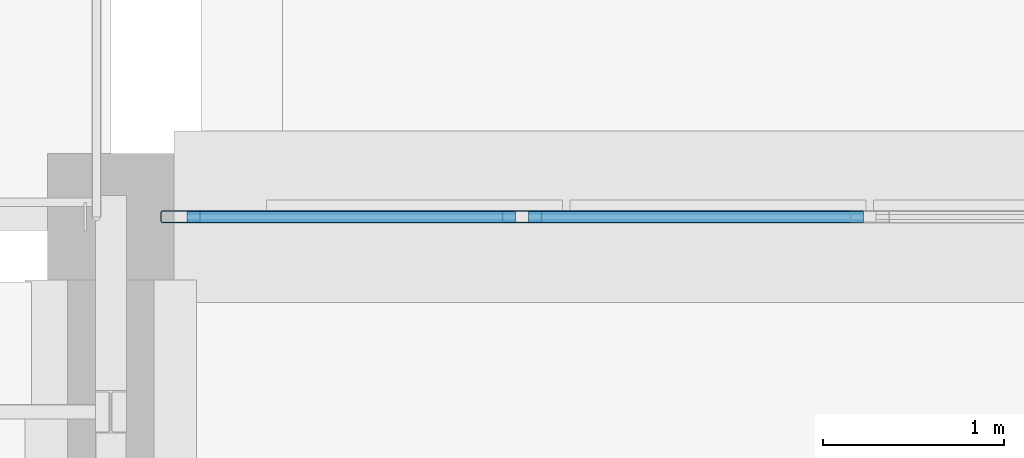
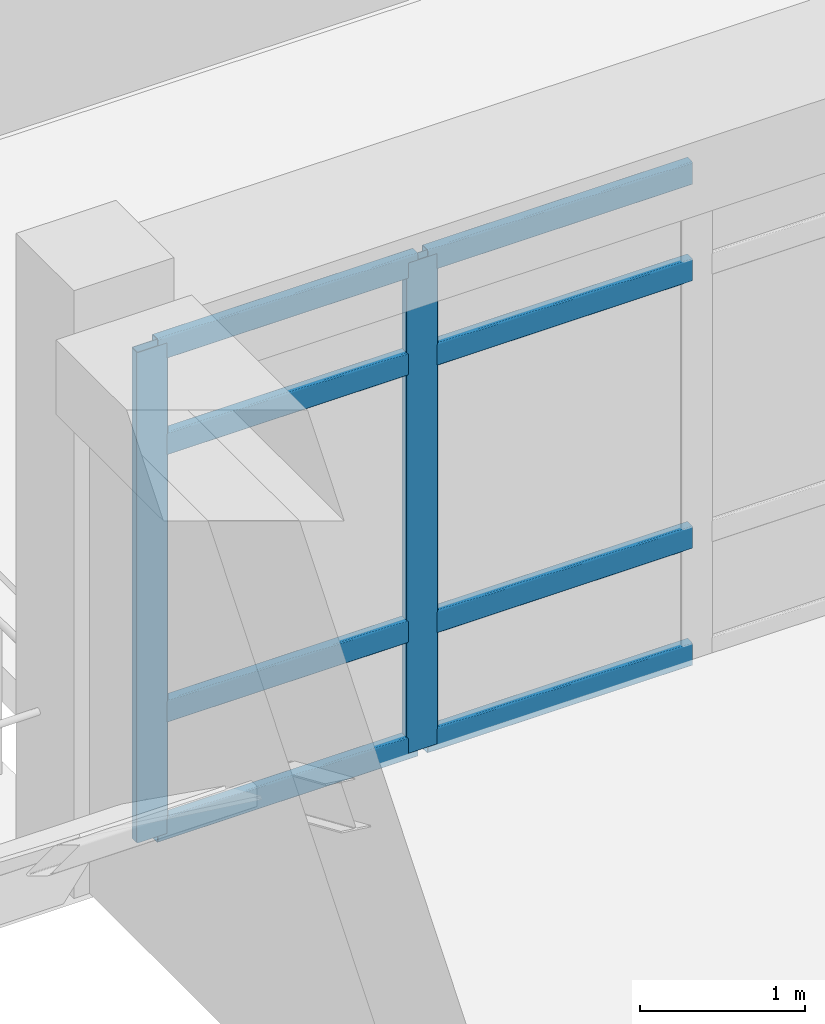
# One storey, part 13 of 100: 10 members, 1 element without a shape of its own.
"""IFC4 building model written with IfcOpenShell, lengths in metres."""

from ifc_helpers import new_model, si_unit, derived_unit, direction, frame, origin, origin_2d, place, context, subcontext, project, spatial, hollow_rectangle, extrude, material, material_profile, profile_set, type_object, element, aggregate, save


model = new_model("IFC4")

# Units and contexts
model_context = context("Model", 3, precision=1e-05, world=origin(), true_north=direction((0.0, 1.0)))
body_context = subcontext(model_context, "Body", "Model", "MODEL_VIEW")
ifc_project = project(units=[si_unit("LENGTHUNIT", "METRE"), si_unit("AREAUNIT", "SQUARE_METRE"), si_unit("VOLUMEUNIT", "CUBIC_METRE"), si_unit("PLANEANGLEUNIT", "RADIAN"), si_unit("MASSUNIT", "GRAM", prefix="KILO"), derived_unit("THERMALTRANSMITTANCEUNIT", [(si_unit("POWERUNIT", "WATT"), 1), (si_unit("LENGTHUNIT", "METRE"), -2), (si_unit("THERMODYNAMICTEMPERATUREUNIT", "KELVIN"), -1)])], contexts=[model_context])

# Site, building, storey
site_placement = place(None, origin())
site = spatial("IfcSite", under=ifc_project, at=site_placement, CompositionType="ELEMENT")
building_placement = place(site_placement, origin())
building = spatial("IfcBuilding", under=site, at=building_placement, Name="Veybourne Emporium", CompositionType="ELEMENT")
storey_placement = place(building_placement, frame((0.0, 0.0, 14.39990234375)))
storey = spatial("IfcBuildingStorey", under=building, at=storey_placement, Name="L03", CompositionType="ELEMENT", Elevation=14.39990234375)

# Curtain wall, members
ifc_material = material(Name="Patinated Architectural Bronze", Category="bronze")
curtain_wall_type = type_object("IfcCurtainWallType", Name="CWSystem_CWS-20", PredefinedType="NOTDEFINED", material=ifc_material)
curtain_wall_placement = place(storey_placement, origin())
curtain_wall = element("IfcCurtainWall", 1, at=curtain_wall_placement, inside=storey, type_object=curtain_wall_type, Name="L03 bronze glazed curtain wall CWS-20 (051)", PredefinedType="NOTDEFINED")
ifc_material_profile_1 = material_profile(ifc_material, hollow_rectangle(XDim=0.070068359375, YDim=0.219970703125, WallThickness=0.0048828125, InnerFilletRadius=0.007568359375, OuterFilletRadius=0.012451171875, at=origin_2d()), Name="CWM 70x220x5")
ifc_profile_set_1 = profile_set([ifc_material_profile_1], Name="Patinated Architectural Bronze")
member_type_1 = type_object("IfcMemberType", Name="CWMullion_CW-M4", PredefinedType="MULLION", material=ifc_profile_set_1)
member_1_placement = place(storey_placement, frame((92.784912109375, 21.60009765625, 0.0), z_axis=(0.0, 0.0, 1.0), x_axis=(0.0, 1.0, 0.0)))
member_1 = element("IfcMember", 2, at=member_1_placement, type_object=member_type_1, Name="CWS-20 mullion 1", PredefinedType="MULLION", context=body_context, shape_type="SweptSolid", body=[
    extrude(hollow_rectangle(XDim=0.070068359375, YDim=0.219970703125, WallThickness=0.0048828125, InnerFilletRadius=0.007568359375, OuterFilletRadius=0.012451171875, at=origin_2d()), origin(), (0.0, 0.0, 1.0), 3.630126953125),
])
member_2_placement = place(storey_placement, frame((94.675048828125, 21.60009765625, 0.0), z_axis=(0.0, 0.0, 1.0), x_axis=(0.0, 1.0, 0.0)))
member_2 = element("IfcMember", 3, at=member_2_placement, type_object=member_type_1, Name="CWS-20 mullion 2", PredefinedType="MULLION", context=body_context, shape_type="SweptSolid", body=[
    extrude(hollow_rectangle(XDim=0.070068359375, YDim=0.219970703125, WallThickness=0.0048828125, InnerFilletRadius=0.007568359375, OuterFilletRadius=0.012451171875, at=origin_2d()), origin(), (0.0, 0.0, 1.0), 3.630126953125),
])
ifc_material_profile_2 = material_profile(ifc_material, hollow_rectangle(XDim=0.070068359375, YDim=0.169921875, WallThickness=0.0048828125, InnerFilletRadius=0.007568359375, OuterFilletRadius=0.012451171875, at=origin_2d()), Name="CWT 70x170x5")
ifc_profile_set_2 = profile_set([ifc_material_profile_2], Name="Patinated Architectural Bronze")
member_type_2 = type_object("IfcMemberType", Name="CWTransom_CW-T4", PredefinedType="NOTDEFINED", material=ifc_profile_set_2)
member_3_placement = place(storey_placement, frame((92.820068359375, 21.60009765625, 0.03515625), z_axis=(1.0, 0.0, 0.0), x_axis=(0.0, 1.0, 0.0)))
member_3 = element("IfcMember", 4, at=member_3_placement, type_object=member_type_2, Name="CWS-20 transom 1.1", ObjectType="TRANSOM", PredefinedType="USERDEFINED", context=body_context, shape_type="SweptSolid", body=[
    extrude(hollow_rectangle(XDim=0.070068359375, YDim=0.169921875, WallThickness=0.0048828125, InnerFilletRadius=0.007568359375, OuterFilletRadius=0.012451171875, at=origin_2d()), origin(), (0.0, 0.0, 1.0), 1.81982421875),
])
member_4_placement = place(storey_placement, frame((92.820068359375, 21.60009765625, 0.900146484375), z_axis=(1.0, 0.0, 0.0), x_axis=(0.0, 1.0, 0.0)))
member_4 = element("IfcMember", 5, at=member_4_placement, type_object=member_type_2, Name="CWS-20 transom 1.2", ObjectType="TRANSOM", PredefinedType="USERDEFINED", context=body_context, shape_type="SweptSolid", body=[
    extrude(hollow_rectangle(XDim=0.070068359375, YDim=0.169921875, WallThickness=0.0048828125, InnerFilletRadius=0.007568359375, OuterFilletRadius=0.012451171875, at=origin_2d()), origin(), (0.0, 0.0, 1.0), 1.81982421875),
])
member_5_placement = place(storey_placement, frame((92.820068359375, 21.60009765625, 2.880126953125), z_axis=(1.0, 0.0, 0.0), x_axis=(0.0, 1.0, 0.0)))
member_5 = element("IfcMember", 6, at=member_5_placement, type_object=member_type_2, Name="CWS-20 transom 1.3", ObjectType="TRANSOM", PredefinedType="USERDEFINED", context=body_context, shape_type="SweptSolid", body=[
    extrude(hollow_rectangle(XDim=0.070068359375, YDim=0.169921875, WallThickness=0.0048828125, InnerFilletRadius=0.007568359375, OuterFilletRadius=0.012451171875, at=origin_2d()), origin(), (0.0, 0.0, 1.0), 1.81982421875),
])
member_6_placement = place(storey_placement, frame((92.820068359375, 21.60009765625, 3.59521484375), z_axis=(1.0, 0.0, 0.0), x_axis=(0.0, 1.0, 0.0)))
member_6 = element("IfcMember", 7, at=member_6_placement, type_object=member_type_2, Name="CWS-20 transom 1.4", ObjectType="TRANSOM", PredefinedType="USERDEFINED", context=body_context, shape_type="SweptSolid", body=[
    extrude(hollow_rectangle(XDim=0.070068359375, YDim=0.169921875, WallThickness=0.0048828125, InnerFilletRadius=0.007568359375, OuterFilletRadius=0.012451171875, at=origin_2d()), origin(), (0.0, 0.0, 1.0), 1.81982421875),
])
member_7_placement = place(storey_placement, frame((94.7099609375, 21.60009765625, 0.03515625), z_axis=(1.0, 0.0, 0.0), x_axis=(0.0, 1.0, 0.0)))
member_7 = element("IfcMember", 8, at=member_7_placement, type_object=member_type_2, Name="CWS-20 transom 2.1", ObjectType="TRANSOM", PredefinedType="USERDEFINED", context=body_context, shape_type="SweptSolid", body=[
    extrude(hollow_rectangle(XDim=0.070068359375, YDim=0.169921875, WallThickness=0.0048828125, InnerFilletRadius=0.007568359375, OuterFilletRadius=0.012451171875, at=origin_2d()), origin(), (0.0, 0.0, 1.0), 1.85498046875),
])
member_8_placement = place(storey_placement, frame((94.7099609375, 21.60009765625, 0.900146484375), z_axis=(1.0, 0.0, 0.0), x_axis=(0.0, 1.0, 0.0)))
member_8 = element("IfcMember", 9, at=member_8_placement, type_object=member_type_2, Name="CWS-20 transom 2.2", ObjectType="TRANSOM", PredefinedType="USERDEFINED", context=body_context, shape_type="SweptSolid", body=[
    extrude(hollow_rectangle(XDim=0.070068359375, YDim=0.169921875, WallThickness=0.0048828125, InnerFilletRadius=0.007568359375, OuterFilletRadius=0.012451171875, at=origin_2d()), origin(), (0.0, 0.0, 1.0), 1.85498046875),
])
member_9_placement = place(storey_placement, frame((94.7099609375, 21.60009765625, 2.880126953125), z_axis=(1.0, 0.0, 0.0), x_axis=(0.0, 1.0, 0.0)))
member_9 = element("IfcMember", 10, at=member_9_placement, type_object=member_type_2, Name="CWS-20 transom 2.3", ObjectType="TRANSOM", PredefinedType="USERDEFINED", context=body_context, shape_type="SweptSolid", body=[
    extrude(hollow_rectangle(XDim=0.070068359375, YDim=0.169921875, WallThickness=0.0048828125, InnerFilletRadius=0.007568359375, OuterFilletRadius=0.012451171875, at=origin_2d()), origin(), (0.0, 0.0, 1.0), 1.85498046875),
])
member_10_placement = place(storey_placement, frame((94.7099609375, 21.60009765625, 3.59521484375), z_axis=(1.0, 0.0, 0.0), x_axis=(0.0, 1.0, 0.0)))
member_10 = element("IfcMember", 11, at=member_10_placement, type_object=member_type_2, Name="CWS-20 transom 2.4", ObjectType="TRANSOM", PredefinedType="USERDEFINED", context=body_context, shape_type="SweptSolid", body=[
    extrude(hollow_rectangle(XDim=0.070068359375, YDim=0.169921875, WallThickness=0.0048828125, InnerFilletRadius=0.007568359375, OuterFilletRadius=0.012451171875, at=origin_2d()), origin(), (0.0, 0.0, 1.0), 1.85498046875),
])
aggregate(curtain_wall, [member_1, member_2, member_3, member_4, member_5, member_6, member_7, member_8, member_9, member_10])

save(model, "model.ifc")
